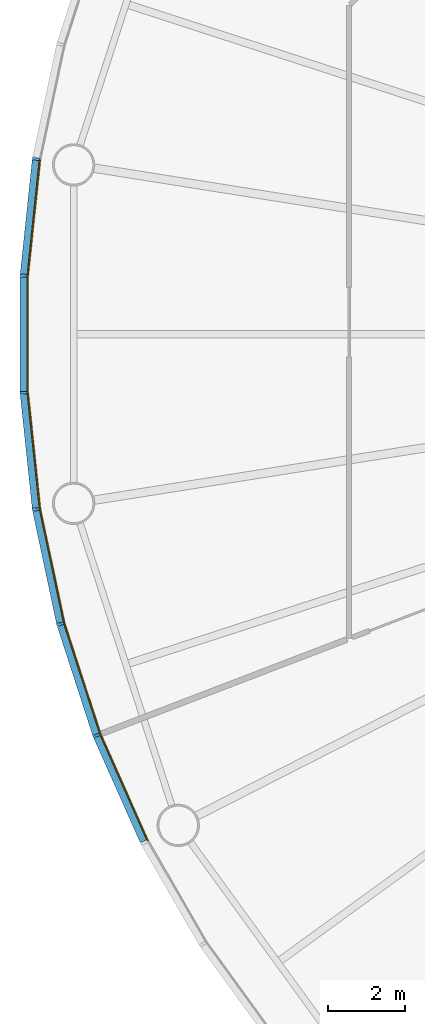
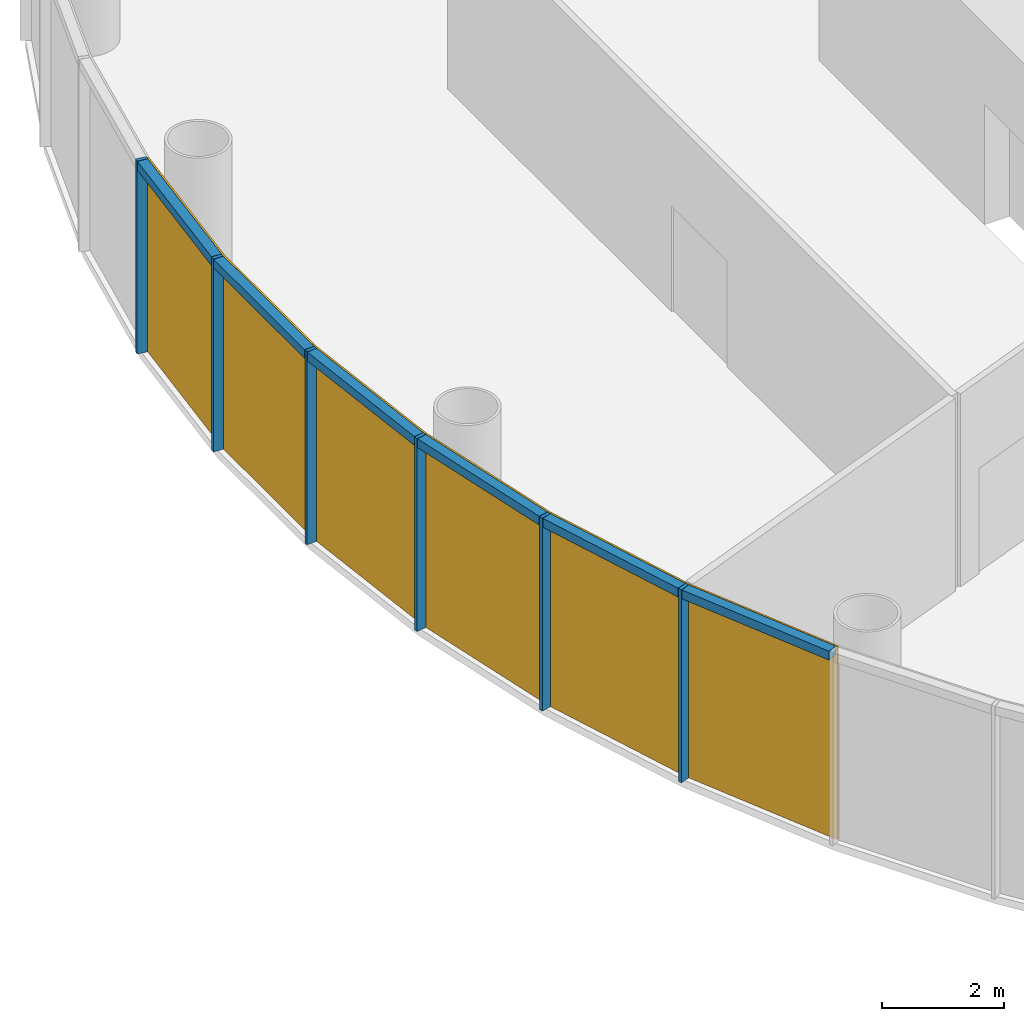
# One storey, part 7 of 12: 12 members, 2 curtain walls.
"""IFC4 building model written with IfcOpenShell, lengths in metres."""

from ifc_helpers import new_model, si_unit, direction, frame, origin, origin_2d, place, context, subcontext, project, spatial, polyline, rectangle, outline, extrude, material, layer, layer_set, material_profile, profile_set, type_object, element, aggregate, save


model = new_model("IFC4")

# Units and contexts
model_context = context("Model", 3, precision=1e-05, world=origin(), true_north=direction((0.0, 1.0)))
body_context = subcontext(model_context, "Body", "Model", "MODEL_VIEW")
ifc_project = project(units=[si_unit("LENGTHUNIT", "METRE"), si_unit("AREAUNIT", "SQUARE_METRE"), si_unit("VOLUMEUNIT", "CUBIC_METRE"), si_unit("PLANEANGLEUNIT", "RADIAN"), si_unit("MASSUNIT", "GRAM", prefix="KILO")], contexts=[model_context])

# Member
ifc_material_1 = material(Name="Anodised aluminium", Category="aluminium")
ifc_material_profile_1 = material_profile(ifc_material_1, rectangle(XDim=0.06494140625, YDim=0.18505859375, at=origin_2d()), Name="Mullion 65 x 185 mm anodised aluminium")
ifc_profile_set_1 = profile_set([ifc_material_profile_1], Name="Anodised aluminium")
member_type_1 = type_object("IfcMemberType", Name="Mullion 65 x 185 mm anodised aluminium", PredefinedType="MULLION", material=ifc_profile_set_1)
site_placement = place(None, origin())
building_placement = place(site_placement, origin())
storey_placement = place(building_placement, frame((0.0, 0.0, 152.0)))
member_1_placement = place(storey_placement, frame((61.265625, 84.551025390625, 0.0), z_axis=(0.0, 0.0, 1.0), x_axis=(-0.15643446504, -0.987688340595, 0.0)))
member_1 = element("IfcMember", 1, at=member_1_placement, type_object=member_type_1, Name="MULLION L34-27", PredefinedType="MULLION", context=body_context, shape_type="SweptSolid", body=[
    extrude(rectangle(XDim=0.06494140625, YDim=0.18505859375, at=origin_2d()), origin(), (0.0, 0.0, 1.0), 3.85009765625),
])

member_2_placement = place(storey_placement, frame((60.947265625, 81.522705078125, 0.0), z_axis=(0.0, 0.0, 1.0), x_axis=(-0.052335956243, -0.998629534755, 0.0)))
member_2 = element("IfcMember", 2, at=member_2_placement, type_object=member_type_1, Name="MULLION L34-28", PredefinedType="MULLION", context=body_context, shape_type="SweptSolid", body=[
    extrude(rectangle(XDim=0.06494140625, YDim=0.18505859375, at=origin_2d()), origin(), (0.0, 0.0, 1.0), 3.85009765625),
])

member_3_placement = place(storey_placement, frame((60.947265625, 78.477294921875, 0.0), z_axis=(0.0, 0.0, 1.0), x_axis=(0.052335956243, -0.998629534755, 0.0)))
member_3 = element("IfcMember", 3, at=member_3_placement, type_object=member_type_1, Name="MULLION L34-29", PredefinedType="MULLION", context=body_context, shape_type="SweptSolid", body=[
    extrude(rectangle(XDim=0.06494140625, YDim=0.18505859375, at=origin_2d()), origin(), (0.0, 0.0, 1.0), 3.85009765625),
])

member_4_placement = place(storey_placement, frame((61.265625, 75.448974609375, 0.0), z_axis=(0.0, 0.0, 1.0), x_axis=(0.15643446504, -0.987688340595, 0.0)))
member_4 = element("IfcMember", 4, at=member_4_placement, type_object=member_type_1, Name="MULLION L34-30", PredefinedType="MULLION", context=body_context, shape_type="SweptSolid", body=[
    extrude(rectangle(XDim=0.06494140625, YDim=0.18505859375, at=origin_2d()), origin(), (0.0, 0.0, 1.0), 3.85009765625),
])

member_5_placement = place(storey_placement, frame((61.898681640625, 72.47021484375, 0.0), z_axis=(0.0, 0.0, 1.0), x_axis=(0.258819045103, -0.965925826289, 0.0)))
member_5 = element("IfcMember", 5, at=member_5_placement, type_object=member_type_1, Name="MULLION L34-31", PredefinedType="MULLION", context=body_context, shape_type="SweptSolid", body=[
    extrude(rectangle(XDim=0.06494140625, YDim=0.18505859375, at=origin_2d()), origin(), (0.0, 0.0, 1.0), 3.85009765625),
])

member_6_placement = place(storey_placement, frame((62.83984375, 69.57421875, 0.0), z_axis=(0.0, 0.0, 1.0), x_axis=(0.358367949545, -0.933580426497, 0.0)))
member_6 = element("IfcMember", 6, at=member_6_placement, type_object=member_type_1, Name="MULLION L34-32", PredefinedType="MULLION", context=body_context, shape_type="SweptSolid", body=[
    extrude(rectangle(XDim=0.06494140625, YDim=0.18505859375, at=origin_2d()), origin(), (0.0, 0.0, 1.0), 3.85009765625),
])

ifc_material_2 = material(Name="Anodised aluminium", Category="aluminium")
ifc_material_profile_2 = material_profile(ifc_material_2, rectangle(XDim=0.18505859375, YDim=0.175048828125, at=origin_2d()), Name="Transom 175 x 185 mm anodised aluminium")
ifc_profile_set_2 = profile_set([ifc_material_profile_2], Name="Anodised aluminium")
member_type_2 = type_object("IfcMemberType", Name="Transom 175 x 185 mm anodised aluminium", PredefinedType="USERDEFINED", material=ifc_profile_set_2)
member_7_placement = place(storey_placement, frame((61.26171875, 84.513916015625, 3.762451171875), z_axis=(-0.104547872381, -0.994519855197, 0.0), x_axis=(0.994519855197, -0.104547872381, 0.0)))
member_7 = element("IfcMember", 7, at=member_7_placement, type_object=member_type_2, Name="TRANSOM L34-27", ObjectType="TRANSOM", PredefinedType="USERDEFINED", context=body_context, shape_type="SweptSolid", body=[
    extrude(rectangle(XDim=0.18505859375, YDim=0.175048828125, at=origin_2d()), origin(), (0.0, 0.0, 1.0), 2.970458984375),
])

member_8_placement = place(storey_placement, frame((60.947265625, 81.4853515625, 3.762451171875), z_axis=(0.0, -1.0, 0.0), x_axis=(1.0, 0.0, 0.0)))
member_8 = element("IfcMember", 8, at=member_8_placement, type_object=member_type_2, Name="TRANSOM L34-28", ObjectType="TRANSOM", PredefinedType="USERDEFINED", context=body_context, shape_type="SweptSolid", body=[
    extrude(rectangle(XDim=0.18505859375, YDim=0.175048828125, at=origin_2d()), origin(), (0.0, 0.0, 1.0), 2.970703125),
])

member_9_placement = place(storey_placement, frame((60.951171875, 78.440185546875, 3.762451171875), z_axis=(0.104547872381, -0.994519855197, 0.0), x_axis=(0.994519855197, 0.104547872381, 0.0)))
member_9 = element("IfcMember", 9, at=member_9_placement, type_object=member_type_2, Name="TRANSOM L34-29", ObjectType="TRANSOM", PredefinedType="USERDEFINED", context=body_context, shape_type="SweptSolid", body=[
    extrude(rectangle(XDim=0.18505859375, YDim=0.175048828125, at=origin_2d()), origin(), (0.0, 0.0, 1.0), 2.970458984375),
])

member_10_placement = place(storey_placement, frame((61.2734375, 75.412353515625, 3.762451171875), z_axis=(0.207861704825, -0.97815822425, 0.0), x_axis=(0.97815822425, 0.207861704825, 0.0)))
member_10 = element("IfcMember", 10, at=member_10_placement, type_object=member_type_2, Name="TRANSOM L34-30", ObjectType="TRANSOM", PredefinedType="USERDEFINED", context=body_context, shape_type="SweptSolid", body=[
    extrude(rectangle(XDim=0.18505859375, YDim=0.175048828125, at=origin_2d()), origin(), (0.0, 0.0, 1.0), 2.970458984375),
])

member_11_placement = place(storey_placement, frame((61.91015625, 72.434814453125, 3.762451171875), z_axis=(0.30901917063, -0.951055809184, 0.0), x_axis=(0.951055809184, 0.30901917063, 0.0)))
member_11 = element("IfcMember", 11, at=member_11_placement, type_object=member_type_2, Name="TRANSOM L34-31", ObjectType="TRANSOM", PredefinedType="USERDEFINED", context=body_context, shape_type="SweptSolid", body=[
    extrude(rectangle(XDim=0.18505859375, YDim=0.175048828125, at=origin_2d()), origin(), (0.0, 0.0, 1.0), 2.970703125),
])

member_12_placement = place(storey_placement, frame((62.85498046875, 69.5400390625, 3.762451171875), z_axis=(0.406687471156, -0.913567348806, 0.0), x_axis=(0.913567348806, 0.406687471156, 0.0)))
member_12 = element("IfcMember", 12, at=member_12_placement, type_object=member_type_2, Name="TRANSOM L34-32", ObjectType="TRANSOM", PredefinedType="USERDEFINED", context=body_context, shape_type="SweptSolid", body=[
    extrude(rectangle(XDim=0.18505859375, YDim=0.175048828125, at=origin_2d()), origin(), (0.0, 0.0, 1.0), 2.970458984375),
])

# Site, building, storey
site = spatial("IfcSite", under=ifc_project, at=site_placement, CompositionType="ELEMENT")
building = spatial("IfcBuilding", under=site, at=building_placement, Name="Entoto Ring Tower", CompositionType="ELEMENT")
storey = spatial("IfcBuildingStorey", under=building, at=storey_placement, Name="L34", CompositionType="ELEMENT", Elevation=152.0)

# Curtain wall
ifc_material_3 = material(Name="Clear low-iron glass", Category="glass")
ifc_layer = layer(ifc_material_3, 0.033935546875)
ifc_layer_set = layer_set([ifc_layer], Name="Clear low-iron glass")
curtain_wall_type = type_object("IfcCurtainWallType", Name="Curtain wall system CW3 glazing 34 mm", PredefinedType="NOTDEFINED", material=ifc_layer_set)
curtain_wall_1_placement = place(storey_placement, origin())
curtain_wall_1 = element("IfcCurtainWall", 13, at=curtain_wall_1_placement, inside=storey, type_object=curtain_wall_type, Name="CW3 L34-10", PredefinedType="NOTDEFINED", context=body_context, shape_type="SweptSolid", body=[
    extrude(outline(polyline([(61.35693359375, 84.53662109375), (61.039794921875, 81.517822265625), (61.039794921875, 78.482177734375), (61.35693359375, 75.46337890625), (61.390625, 75.46875), (61.07373046875, 78.484130859375), (61.07373046875, 81.515869140625), (61.390625, 84.53125), (61.35693359375, 84.53662109375)])), origin(), (0.0, 0.0, 1.0), 3.85009765625),
])

aggregate(curtain_wall_1, [member_1, member_2, member_3, member_7, member_8, member_9])

curtain_wall_2_placement = place(storey_placement, origin())
curtain_wall_2 = element("IfcCurtainWall", 14, at=curtain_wall_2_placement, inside=storey, type_object=curtain_wall_type, Name="CW3 L34-11", PredefinedType="NOTDEFINED", context=body_context, shape_type="SweptSolid", body=[
    extrude(outline(polyline([(61.35693359375, 75.46337890625), (61.988037109375, 72.494140625), (62.92626953125, 69.607421875), (64.160888671875, 66.834228515625), (64.191162109375, 66.849853515625), (62.9580078125, 69.61962890625), (62.02099609375, 72.503173828125), (61.390625, 75.46875), (61.35693359375, 75.46337890625)])), origin(), (0.0, 0.0, 1.0), 3.85009765625),
])

aggregate(curtain_wall_2, [member_4, member_5, member_6, member_10, member_11, member_12])

save(model, "model.ifc")
